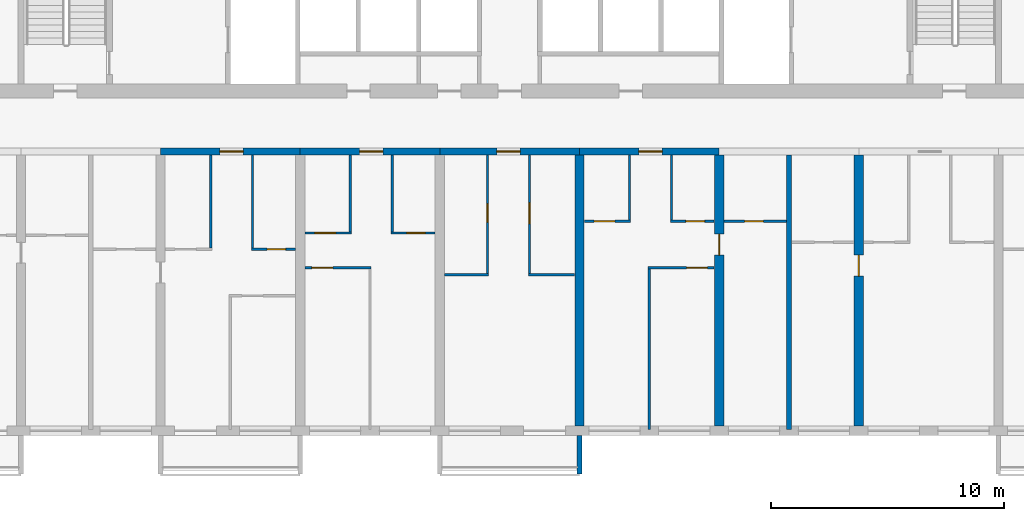
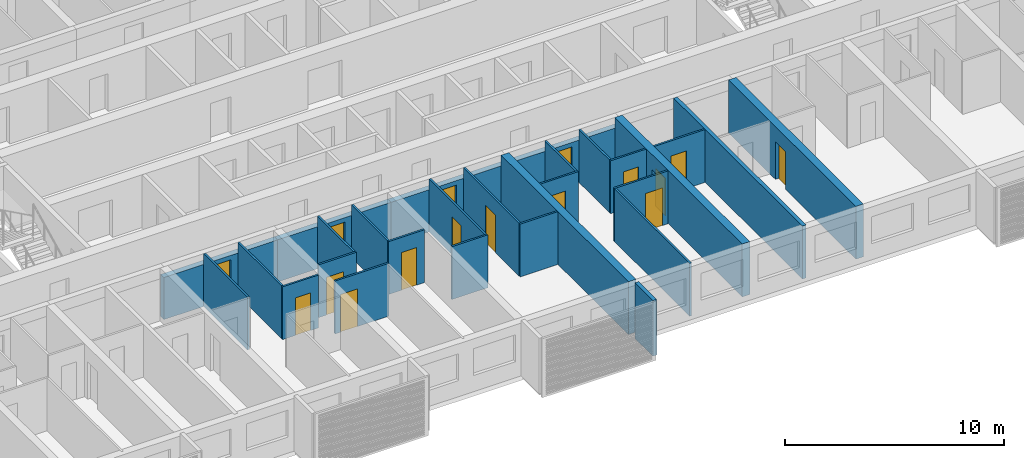
# One storey, part 5 of 39: 28 walls, 16 doors, 16 openings.
"""IFC4 building model written with IfcOpenShell, lengths in metres."""

from ifc_helpers import new_model, si_unit, direction, frame, frame_2d, origin, place, context, subcontext, project, spatial, polyline, rectangle, outline, extrude, source, transform, mapped, material, layer, layer_set, type_object, element, fill, save


model = new_model("IFC4")

# Units and contexts
model_context = context("Model", 3, precision=1e-05, world=origin(), true_north=direction((0.0, 1.0)))
body_context = subcontext(model_context, "Body", "Model", "MODEL_VIEW")
ifc_project = project(units=[si_unit("LENGTHUNIT", "METRE"), si_unit("AREAUNIT", "SQUARE_METRE"), si_unit("VOLUMEUNIT", "CUBIC_METRE"), si_unit("PLANEANGLEUNIT", "RADIAN"), si_unit("MASSUNIT", "GRAM", prefix="KILO")], contexts=[model_context])

# Site, building, storey
site_placement = place(None, origin())
site = spatial("IfcSite", under=ifc_project, at=site_placement, CompositionType="ELEMENT")
building_placement = place(site_placement, origin())
building = spatial("IfcBuilding", under=site, at=building_placement, Name="Poui Terraces", CompositionType="ELEMENT")
storey_placement = place(building_placement, frame((0.0, 0.0, 63.0)))
storey = spatial("IfcBuildingStorey", under=building, at=storey_placement, Name="L17", CompositionType="ELEMENT", Elevation=63.0)

# Wall, opening, door
ifc_material_1 = material(Name="Concrete 80 MPa", Category="concrete")
ifc_layer_1 = layer(ifc_material_1, 0.300048828125)
ifc_layer_set_1 = layer_set([ifc_layer_1], Name="Concrete 80 MPa")
wall_type_1 = type_object("IfcWallType", Name="CORRIDOR WALL 300 80MPa", PredefinedType="SHEAR", material=ifc_layer_set_1)
wall_1_placement = place(storey_placement, frame((36.0, 12.0, 0.0), z_axis=(0.0, 0.0, 1.0), x_axis=(1.0, 0.0, 0.0)))
wall_1 = element("IfcWall", 1, at=wall_1_placement, inside=storey, type_object=wall_type_1, Name="CORRIDOR WALL LINE B BAY 6", PredefinedType="SHEAR", context=body_context, shape_type="SweptSolid", body=[
    extrude(rectangle(XDim=6.0, YDim=0.300048828125, at=frame_2d((3.0, 0.0))), origin(), (0.0, 0.0, 1.0), 2.35009765625),
])
opening_1_placement = place(wall_1_placement, frame((2.550048828125, 0.0, 0.0)))
opening_1 = element("IfcOpeningElement", 2, at=opening_1_placement, cuts=wall_1, Name="Opening FD30S", PredefinedType="OPENING", context=body_context, shape_type="SweptSolid", body=[
    extrude(rectangle(XDim=1.0, YDim=2.10009765625, at=frame_2d((0.5, 1.050048828125))), frame((0.0, 0.16015625, 0.0), z_axis=(0.0, -1.0, 0.0), x_axis=(1.0, 0.0, 0.0)), (0.0, 0.0, 1.0), 0.320068359375),
])
ifc_material_2 = material(Name="Steel fire door", Category="steel")
door_type_1 = type_object("IfcDoorType", Name="FLAT ENTRANCE DOOR 1000 X 2100", OperationType="NOTDEFINED", PredefinedType="DOOR", material=ifc_material_2)
door_1_placement = place(opening_1_placement, frame((1.0, 0.0, 0.0), z_axis=(0.0, 0.0, 1.0), x_axis=(-1.0, 0.0, 0.0)))
door_1 = element("IfcDoor", 3, at=door_1_placement, inside=storey, type_object=door_type_1, Name="FLAT ENTRANCE DOOR 102", OperationType="SINGLE_SWING_LEFT", OverallHeight=2.10009765625, OverallWidth=1.0, PredefinedType="DOOR", context=body_context, shape_type="SweptSolid", body=[
    extrude(rectangle(XDim=1.0, YDim=2.10009765625, at=frame_2d((0.5, 1.050048828125))), frame((0.0, 0.02490234375, 0.0), z_axis=(0.0, -1.0, 0.0), x_axis=(1.0, 0.0, 0.0)), (0.0, 0.0, 1.0), 0.050048828125),
])
fill(opening_1, door_1)

wall_2_placement = place(storey_placement, frame((42.0, 12.0, 0.0), z_axis=(0.0, 0.0, 1.0), x_axis=(1.0, 0.0, 0.0)))
wall_2 = element("IfcWall", 4, at=wall_2_placement, inside=storey, type_object=wall_type_1, Name="CORRIDOR WALL LINE B BAY 7", PredefinedType="SHEAR", context=body_context, shape_type="SweptSolid", body=[
    extrude(rectangle(XDim=6.0, YDim=0.300048828125, at=frame_2d((3.0, 0.0))), origin(), (0.0, 0.0, 1.0), 2.35009765625),
])
opening_2_placement = place(wall_2_placement, frame((2.550048828125, 0.0, 0.0)))
opening_2 = element("IfcOpeningElement", 5, at=opening_2_placement, cuts=wall_2, Name="Opening FD30S", PredefinedType="OPENING", context=body_context, shape_type="SweptSolid", body=[
    extrude(rectangle(XDim=1.0, YDim=2.10009765625, at=frame_2d((0.5, 1.050048828125))), frame((0.0, 0.16015625, 0.0), z_axis=(0.0, -1.0, 0.0), x_axis=(1.0, 0.0, 0.0)), (0.0, 0.0, 1.0), 0.320068359375),
])
door_2_placement = place(opening_2_placement, frame((1.0, 0.0, 0.0), z_axis=(0.0, 0.0, 1.0), x_axis=(-1.0, 0.0, 0.0)))
door_2 = element("IfcDoor", 6, at=door_2_placement, inside=storey, type_object=door_type_1, Name="FLAT ENTRANCE DOOR 107", OperationType="SINGLE_SWING_LEFT", OverallHeight=2.10009765625, OverallWidth=1.0, PredefinedType="DOOR", context=body_context, shape_type="SweptSolid", body=[
    extrude(rectangle(XDim=1.0, YDim=2.10009765625, at=frame_2d((0.5, 1.050048828125))), frame((0.0, 0.02490234375, 0.0), z_axis=(0.0, -1.0, 0.0), x_axis=(1.0, 0.0, 0.0)), (0.0, 0.0, 1.0), 0.050048828125),
])
fill(opening_2, door_2)

wall_3_placement = place(storey_placement, frame((48.0, 12.0, 0.0), z_axis=(0.0, 0.0, 1.0), x_axis=(1.0, 0.0, 0.0)))
wall_3 = element("IfcWall", 7, at=wall_3_placement, inside=storey, type_object=wall_type_1, Name="CORRIDOR WALL LINE B BAY 8", PredefinedType="SHEAR", context=body_context, shape_type="SweptSolid", body=[
    extrude(rectangle(XDim=6.0, YDim=0.300048828125, at=frame_2d((3.0, 0.0))), origin(), (0.0, 0.0, 1.0), 2.35009765625),
])
opening_3_placement = place(wall_3_placement, frame((2.449951171875, 0.0, 0.0)))
opening_3 = element("IfcOpeningElement", 8, at=opening_3_placement, cuts=wall_3, Name="Opening FD30S", PredefinedType="OPENING", context=body_context, shape_type="SweptSolid", body=[
    extrude(rectangle(XDim=1.0, YDim=2.10009765625, at=frame_2d((0.5, 1.050048828125))), frame((0.0, 0.16015625, 0.0), z_axis=(0.0, -1.0, 0.0), x_axis=(1.0, 0.0, 0.0)), (0.0, 0.0, 1.0), 0.320068359375),
])
door_3_placement = place(opening_3_placement, frame((1.0, 0.0, 0.0), z_axis=(0.0, 0.0, 1.0), x_axis=(-1.0, 0.0, 0.0)))
door_3 = element("IfcDoor", 9, at=door_3_placement, inside=storey, type_object=door_type_1, Name="FLAT ENTRANCE DOOR 110", OperationType="SINGLE_SWING_RIGHT", OverallHeight=2.10009765625, OverallWidth=1.0, PredefinedType="DOOR", context=body_context, shape_type="SweptSolid", body=[
    extrude(rectangle(XDim=1.0, YDim=2.10009765625, at=frame_2d((0.5, 1.050048828125))), frame((0.0, 0.02490234375, 0.0), z_axis=(0.0, -1.0, 0.0), x_axis=(1.0, 0.0, 0.0)), (0.0, 0.0, 1.0), 0.050048828125),
])
fill(opening_3, door_3)

wall_4_placement = place(storey_placement, frame((54.0, 12.0, 0.0), z_axis=(0.0, 0.0, 1.0), x_axis=(1.0, 0.0, 0.0)))
wall_4 = element("IfcWall", 10, at=wall_4_placement, inside=storey, type_object=wall_type_1, Name="CORRIDOR WALL LINE B BAY 9", PredefinedType="SHEAR", context=body_context, shape_type="SweptSolid", body=[
    extrude(rectangle(XDim=6.0, YDim=0.300048828125, at=frame_2d((3.0, 0.0))), origin(), (0.0, 0.0, 1.0), 2.35009765625),
])
opening_4_placement = place(wall_4_placement, frame((2.550048828125, 0.0, 0.0)))
opening_4 = element("IfcOpeningElement", 11, at=opening_4_placement, cuts=wall_4, Name="Opening FD30S", PredefinedType="OPENING", context=body_context, shape_type="SweptSolid", body=[
    extrude(rectangle(XDim=1.0, YDim=2.10009765625, at=frame_2d((0.5, 1.050048828125))), frame((0.0, 0.16015625, 0.0), z_axis=(0.0, -1.0, 0.0), x_axis=(1.0, 0.0, 0.0)), (0.0, 0.0, 1.0), 0.320068359375),
])
door_4_placement = place(opening_4_placement, frame((1.0, 0.0, 0.0), z_axis=(0.0, 0.0, 1.0), x_axis=(-1.0, 0.0, 0.0)))
door_4 = element("IfcDoor", 12, at=door_4_placement, inside=storey, type_object=door_type_1, Name="FLAT ENTRANCE DOOR 114", OperationType="SINGLE_SWING_LEFT", OverallHeight=2.10009765625, OverallWidth=1.0, PredefinedType="DOOR", context=body_context, shape_type="SweptSolid", body=[
    extrude(rectangle(XDim=1.0, YDim=2.10009765625, at=frame_2d((0.5, 1.050048828125))), frame((0.0, 0.02490234375, 0.0), z_axis=(0.0, -1.0, 0.0), x_axis=(1.0, 0.0, 0.0)), (0.0, 0.0, 1.0), 0.050048828125),
])
fill(opening_4, door_4)

# Wall
ifc_layer_2 = layer(ifc_material_1, 0.39990234375)
ifc_layer_set_2 = layer_set([ifc_layer_2], Name="Concrete 80 MPa")
wall_type_2 = type_object("IfcWallType", Name="CROSS WALL 400 80MPa", PredefinedType="SHEAR", material=ifc_layer_set_2)
wall_5_placement = place(storey_placement, frame((54.0, 0.199951171875, 0.0), z_axis=(0.0, 0.0, 1.0), x_axis=(0.0, 1.0, 0.0)))
element("IfcWall", 13, at=wall_5_placement, inside=storey, type_object=wall_type_2, Name="CROSS WALL LINE 10 SOUTH", PredefinedType="SHEAR", context=body_context, shape_type="SweptSolid", body=[
    extrude(rectangle(XDim=11.650146484375, YDim=0.39990234375, at=frame_2d((5.8251953125, 0.0))), origin(), (0.0, 0.0, 1.0), 2.949951171875),
])

# Wall, opening, door
wall_6_placement = place(storey_placement, frame((60.0, 0.199951171875, 0.0), z_axis=(0.0, 0.0, 1.0), x_axis=(0.0, 1.0, 0.0)))
wall_6 = element("IfcWall", 14, at=wall_6_placement, inside=storey, type_object=wall_type_2, Name="CROSS WALL LINE 11 SOUTH", PredefinedType="SHEAR", context=body_context, shape_type="SweptSolid", body=[
    extrude(rectangle(XDim=11.650146484375, YDim=0.39990234375, at=frame_2d((5.8251953125, 0.0))), origin(), (0.0, 0.0, 1.0), 2.949951171875),
])
opening_5_placement = place(wall_6_placement, frame((7.35009765625, 0.0, 0.0)))
opening_5 = element("IfcOpeningElement", 15, at=opening_5_placement, cuts=wall_6, Name="Opening D90", PredefinedType="OPENING", context=body_context, shape_type="SweptSolid", body=[
    extrude(rectangle(XDim=0.89990234375, YDim=2.10009765625, at=frame_2d((0.449951171875, 1.050048828125))), frame((0.0, 0.2099609375, 0.0), z_axis=(0.0, -1.0, 0.0), x_axis=(1.0, 0.0, 0.0)), (0.0, 0.0, 1.0), 0.419921875),
])
ifc_material_3 = material(Name="Solid core timber door", Category="wood")
door_type_2 = type_object("IfcDoorType", Name="INTERNAL DOOR 900 X 2100", OperationType="NOTDEFINED", PredefinedType="DOOR", material=ifc_material_3)
door_5_placement = place(opening_5_placement, frame((0.89990234375, 0.0, 0.0), z_axis=(0.0, 0.0, 1.0), x_axis=(-1.0, 0.0, 0.0)))
door_5 = element("IfcDoor", 16, at=door_5_placement, inside=storey, type_object=door_type_2, Name="INTERNAL DOOR 117", OperationType="SINGLE_SWING_LEFT", OverallHeight=2.10009765625, OverallWidth=0.89990234375, PredefinedType="DOOR", context=body_context, shape_type="SweptSolid", body=[
    extrude(rectangle(XDim=0.89990234375, YDim=2.10009765625, at=frame_2d((0.449951171875, 1.050048828125))), frame((0.0, 0.02490234375, 0.0), z_axis=(0.0, -1.0, 0.0), x_axis=(1.0, 0.0, 0.0)), (0.0, 0.0, 1.0), 0.050048828125),
])
fill(opening_5, door_5)

wall_7_placement = place(storey_placement, frame((66.0, 0.199951171875, 0.0), z_axis=(0.0, 0.0, 1.0), x_axis=(0.0, 1.0, 0.0)))
wall_7 = element("IfcWall", 17, at=wall_7_placement, inside=storey, type_object=wall_type_2, Name="CROSS WALL LINE 12 SOUTH", PredefinedType="SHEAR", context=body_context, shape_type="SweptSolid", body=[
    extrude(rectangle(XDim=11.650146484375, YDim=0.39990234375, at=frame_2d((5.8251953125, 0.0))), origin(), (0.0, 0.0, 1.0), 2.949951171875),
])
opening_6_placement = place(wall_7_placement, frame((6.449951171875, 0.0, 0.0)))
opening_6 = element("IfcOpeningElement", 18, at=opening_6_placement, cuts=wall_7, Name="Opening D90", PredefinedType="OPENING", context=body_context, shape_type="SweptSolid", body=[
    extrude(rectangle(XDim=0.89990234375, YDim=2.10009765625, at=frame_2d((0.449951171875, 1.050048828125))), frame((0.0, 0.2099609375, 0.0), z_axis=(0.0, -1.0, 0.0), x_axis=(1.0, 0.0, 0.0)), (0.0, 0.0, 1.0), 0.419921875),
])
door_6_placement = place(opening_6_placement, origin())
door_6 = element("IfcDoor", 19, at=door_6_placement, inside=storey, type_object=door_type_2, Name="INTERNAL DOOR 119", OperationType="SINGLE_SWING_RIGHT", OverallHeight=2.10009765625, OverallWidth=0.89990234375, PredefinedType="DOOR", context=body_context, shape_type="SweptSolid", body=[
    extrude(rectangle(XDim=0.89990234375, YDim=2.10009765625, at=frame_2d((0.449951171875, 1.050048828125))), frame((0.0, 0.02490234375, 0.0), z_axis=(0.0, -1.0, 0.0), x_axis=(1.0, 0.0, 0.0)), (0.0, 0.0, 1.0), 0.050048828125),
])
fill(opening_6, door_6)

# Walls
ifc_material_4 = material(Name="Plasterboard partition")
ifc_layer_3 = layer(ifc_material_4, 0.10009765625)
ifc_layer_set_3 = layer_set([ifc_layer_3], Name="Plasterboard partition")
wall_type_3 = type_object("IfcWallType", Name="FLAT PARTITION 100", PredefinedType="PARTITIONING", material=ifc_layer_set_3)
wall_8_placement = place(storey_placement, frame((48.2099609375, 6.699951171875, 0.0), z_axis=(0.0, 0.0, 1.0), x_axis=(1.0, 0.0, 0.0)))
element("IfcWall", 20, at=wall_8_placement, inside=storey, type_object=wall_type_3, Name="FLAT PARTITION 100", PredefinedType="PARTITIONING", context=body_context, shape_type="SweptSolid", body=[
    extrude(rectangle(XDim=1.89013671875, YDim=0.10009765625, at=frame_2d((0.945068359375, 0.0))), origin(), (0.0, 0.0, 1.0), 2.949951171875),
])
wall_9_placement = place(storey_placement, frame((51.800048828125, 6.699951171875, 0.0), z_axis=(0.0, 0.0, 1.0), x_axis=(1.0, 0.0, 0.0)))
element("IfcWall", 21, at=wall_9_placement, inside=storey, type_object=wall_type_3, Name="FLAT PARTITION 100", PredefinedType="PARTITIONING", context=body_context, shape_type="SweptSolid", body=[
    extrude(rectangle(XDim=1.989990234375, YDim=0.10009765625, at=frame_2d((0.9951171875, 0.0))), origin(), (0.0, 0.0, 1.0), 2.949951171875),
])

# Wall, opening, door
wall_10_placement = place(storey_placement, frame((42.2099609375, 7.0, 0.0), z_axis=(0.0, 0.0, 1.0), x_axis=(1.0, 0.0, 0.0)))
wall_10 = element("IfcWall", 22, at=wall_10_placement, inside=storey, type_object=wall_type_3, Name="FLAT PARTITION 100", PredefinedType="PARTITIONING", context=body_context, shape_type="SweptSolid", body=[
    extrude(rectangle(XDim=2.840087890625, YDim=0.10009765625, at=frame_2d((1.419921875, 0.0))), origin(), (0.0, 0.0, 1.0), 2.949951171875),
])
opening_7_placement = place(wall_10_placement, frame((0.2900390625, 0.0, 0.0)))
opening_7 = element("IfcOpeningElement", 23, at=opening_7_placement, cuts=wall_10, Name="Opening D90", PredefinedType="OPENING", context=body_context, shape_type="SweptSolid", body=[
    extrude(rectangle(XDim=0.89990234375, YDim=2.10009765625, at=frame_2d((0.449951171875, 1.050048828125))), frame((0.0, 0.06005859375, 0.0), z_axis=(0.0, -1.0, 0.0), x_axis=(1.0, 0.0, 0.0)), (0.0, 0.0, 1.0), 0.1201171875),
])
door_7_placement = place(opening_7_placement, origin())
door_7 = element("IfcDoor", 24, at=door_7_placement, inside=storey, type_object=door_type_2, Name="INTERNAL DOOR 105", OperationType="SINGLE_SWING_RIGHT", OverallHeight=2.10009765625, OverallWidth=0.89990234375, PredefinedType="DOOR", context=body_context, shape_type="SweptSolid", body=[
    extrude(rectangle(XDim=0.89990234375, YDim=2.10009765625, at=frame_2d((0.449951171875, 1.050048828125))), frame((0.0, 0.02490234375, 0.0), z_axis=(0.0, -1.0, 0.0), x_axis=(1.0, 0.0, 0.0)), (0.0, 0.0, 1.0), 0.050048828125),
])
fill(opening_7, door_7)

wall_11_placement = place(storey_placement, frame((56.949951171875, 7.0, 0.0), z_axis=(0.0, 0.0, 1.0), x_axis=(1.0, 0.0, 0.0)))
wall_11 = element("IfcWall", 25, at=wall_11_placement, inside=storey, type_object=wall_type_3, Name="FLAT PARTITION 100", PredefinedType="PARTITIONING", context=body_context, shape_type="SweptSolid", body=[
    extrude(rectangle(XDim=2.840087890625, YDim=0.10009765625, at=frame_2d((1.419921875, 0.0))), origin(), (0.0, 0.0, 1.0), 2.949951171875),
])
opening_8_placement = place(wall_11_placement, frame((1.64990234375, 0.0, 0.0)))
opening_8 = element("IfcOpeningElement", 26, at=opening_8_placement, cuts=wall_11, Name="Opening D90", PredefinedType="OPENING", context=body_context, shape_type="SweptSolid", body=[
    extrude(rectangle(XDim=0.89990234375, YDim=2.10009765625, at=frame_2d((0.449951171875, 1.050048828125))), frame((0.0, 0.06005859375, 0.0), z_axis=(0.0, -1.0, 0.0), x_axis=(1.0, 0.0, 0.0)), (0.0, 0.0, 1.0), 0.1201171875),
])
door_8_placement = place(opening_8_placement, origin())
door_8 = element("IfcDoor", 27, at=door_8_placement, inside=storey, type_object=door_type_2, Name="INTERNAL DOOR 116", OperationType="SINGLE_SWING_LEFT", OverallHeight=2.10009765625, OverallWidth=0.89990234375, PredefinedType="DOOR", context=body_context, shape_type="SweptSolid", body=[
    extrude(rectangle(XDim=0.89990234375, YDim=2.10009765625, at=frame_2d((0.449951171875, 1.050048828125))), frame((0.0, 0.02490234375, 0.0), z_axis=(0.0, -1.0, 0.0), x_axis=(1.0, 0.0, 0.0)), (0.0, 0.0, 1.0), 0.050048828125),
])
fill(opening_8, door_8)

wall_12_placement = place(storey_placement, frame((39.89990234375, 7.800048828125, 0.0), z_axis=(0.0, 0.0, 1.0), x_axis=(1.0, 0.0, 0.0)))
wall_12 = element("IfcWall", 28, at=wall_12_placement, inside=storey, type_object=wall_type_3, Name="FLAT PARTITION 100", PredefinedType="PARTITIONING", context=body_context, shape_type="SweptSolid", body=[
    extrude(rectangle(XDim=1.89013671875, YDim=0.10009765625, at=frame_2d((0.945068359375, 0.0))), origin(), (0.0, 0.0, 1.0), 2.949951171875),
])
opening_9_placement = place(wall_12_placement, frame((0.675048828125, 0.0, 0.0)))
opening_9 = element("IfcOpeningElement", 29, at=opening_9_placement, cuts=wall_12, Name="Opening D80", PredefinedType="OPENING", context=body_context, shape_type="SweptSolid", body=[
    extrude(rectangle(XDim=0.800048828125, YDim=2.10009765625, at=frame_2d((0.39990234375, 1.050048828125))), frame((0.0, 0.06005859375, 0.0), z_axis=(0.0, -1.0, 0.0), x_axis=(1.0, 0.0, 0.0)), (0.0, 0.0, 1.0), 0.1201171875),
])
door_type_3 = type_object("IfcDoorType", Name="BATHROOM, LAUNDRY AND STORE DOOR 800 X 2100", OperationType="NOTDEFINED", PredefinedType="DOOR", material=ifc_material_3)
door_9_placement = place(opening_9_placement, origin())
door_9 = element("IfcDoor", 30, at=door_9_placement, inside=storey, type_object=door_type_3, Name="BATHROOM, LAUNDRY AND STORE DOOR 104", OperationType="SINGLE_SWING_LEFT", OverallHeight=2.10009765625, OverallWidth=0.800048828125, PredefinedType="DOOR", context=body_context, shape_type="SweptSolid", body=[
    extrude(rectangle(XDim=0.800048828125, YDim=2.10009765625, at=frame_2d((0.39990234375, 1.050048828125))), frame((0.0, 0.02490234375, 0.0), z_axis=(0.0, -1.0, 0.0), x_axis=(1.0, 0.0, 0.0)), (0.0, 0.0, 1.0), 0.050048828125),
])
fill(opening_9, door_9)

wall_13_placement = place(storey_placement, frame((42.2099609375, 8.5, 0.0), z_axis=(0.0, 0.0, 1.0), x_axis=(1.0, 0.0, 0.0)))
wall_13 = element("IfcWall", 31, at=wall_13_placement, inside=storey, type_object=wall_type_3, Name="FLAT PARTITION 100", PredefinedType="PARTITIONING", context=body_context, shape_type="SweptSolid", body=[
    extrude(rectangle(XDim=1.989990234375, YDim=0.10009765625, at=frame_2d((0.9951171875, 0.0))), origin(), (0.0, 0.0, 1.0), 2.949951171875),
])
opening_10_placement = place(wall_13_placement, frame((0.4150390625, 0.0, 0.0)))
opening_10 = element("IfcOpeningElement", 32, at=opening_10_placement, cuts=wall_13, Name="Opening D90", PredefinedType="OPENING", context=body_context, shape_type="SweptSolid", body=[
    extrude(rectangle(XDim=0.89990234375, YDim=2.10009765625, at=frame_2d((0.449951171875, 1.050048828125))), frame((0.0, 0.06005859375, 0.0), z_axis=(0.0, -1.0, 0.0), x_axis=(1.0, 0.0, 0.0)), (0.0, 0.0, 1.0), 0.1201171875),
])
door_10_placement = place(opening_10_placement, origin())
door_10 = element("IfcDoor", 33, at=door_10_placement, inside=storey, type_object=door_type_2, Name="INTERNAL DOOR 106", OperationType="SINGLE_SWING_LEFT", OverallHeight=2.10009765625, OverallWidth=0.89990234375, PredefinedType="DOOR", context=body_context, shape_type="SweptSolid", body=[
    extrude(rectangle(XDim=0.89990234375, YDim=2.10009765625, at=frame_2d((0.449951171875, 1.050048828125))), frame((0.0, 0.02490234375, 0.0), z_axis=(0.0, -1.0, 0.0), x_axis=(1.0, 0.0, 0.0)), (0.0, 0.0, 1.0), 0.050048828125),
])
fill(opening_10, door_10)

wall_14_placement = place(storey_placement, frame((45.89990234375, 8.5, 0.0), z_axis=(0.0, 0.0, 1.0), x_axis=(1.0, 0.0, 0.0)))
wall_14 = element("IfcWall", 34, at=wall_14_placement, inside=storey, type_object=wall_type_3, Name="FLAT PARTITION 100", PredefinedType="PARTITIONING", context=body_context, shape_type="SweptSolid", body=[
    extrude(rectangle(XDim=1.89013671875, YDim=0.10009765625, at=frame_2d((0.945068359375, 0.0))), origin(), (0.0, 0.0, 1.0), 2.949951171875),
])
opening_11_placement = place(wall_14_placement, frame((0.675048828125, 0.0, 0.0)))
opening_11 = element("IfcOpeningElement", 35, at=opening_11_placement, cuts=wall_14, Name="Opening D80", PredefinedType="OPENING", context=body_context, shape_type="SweptSolid", body=[
    extrude(rectangle(XDim=0.800048828125, YDim=2.10009765625, at=frame_2d((0.39990234375, 1.050048828125))), frame((0.0, 0.06005859375, 0.0), z_axis=(0.0, -1.0, 0.0), x_axis=(1.0, 0.0, 0.0)), (0.0, 0.0, 1.0), 0.1201171875),
])
door_11_placement = place(opening_11_placement, origin())
door_11 = element("IfcDoor", 36, at=door_11_placement, inside=storey, type_object=door_type_3, Name="BATHROOM, LAUNDRY AND STORE DOOR 108", OperationType="SINGLE_SWING_RIGHT", OverallHeight=2.10009765625, OverallWidth=0.800048828125, PredefinedType="DOOR", context=body_context, shape_type="SweptSolid", body=[
    extrude(rectangle(XDim=0.800048828125, YDim=2.10009765625, at=frame_2d((0.39990234375, 1.050048828125))), frame((0.0, 0.02490234375, 0.0), z_axis=(0.0, -1.0, 0.0), x_axis=(1.0, 0.0, 0.0)), (0.0, 0.0, 1.0), 0.050048828125),
])
fill(opening_11, door_11)

wall_15_placement = place(storey_placement, frame((54.2099609375, 9.0, 0.0), z_axis=(0.0, 0.0, 1.0), x_axis=(1.0, 0.0, 0.0)))
wall_15 = element("IfcWall", 37, at=wall_15_placement, inside=storey, type_object=wall_type_3, Name="FLAT PARTITION 100", PredefinedType="PARTITIONING", context=body_context, shape_type="SweptSolid", body=[
    extrude(rectangle(XDim=1.989990234375, YDim=0.10009765625, at=frame_2d((0.9951171875, 0.0))), origin(), (0.0, 0.0, 1.0), 2.949951171875),
])
opening_12_placement = place(wall_15_placement, frame((0.4150390625, 0.0, 0.0)))
opening_12 = element("IfcOpeningElement", 38, at=opening_12_placement, cuts=wall_15, Name="Opening D90", PredefinedType="OPENING", context=body_context, shape_type="SweptSolid", body=[
    extrude(rectangle(XDim=0.89990234375, YDim=2.10009765625, at=frame_2d((0.449951171875, 1.050048828125))), frame((0.0, 0.06005859375, 0.0), z_axis=(0.0, -1.0, 0.0), x_axis=(1.0, 0.0, 0.0)), (0.0, 0.0, 1.0), 0.1201171875),
])
door_12_placement = place(opening_12_placement, origin())
door_12 = element("IfcDoor", 39, at=door_12_placement, inside=storey, type_object=door_type_2, Name="INTERNAL DOOR 113", OperationType="SINGLE_SWING_LEFT", OverallHeight=2.10009765625, OverallWidth=0.89990234375, PredefinedType="DOOR", context=body_context, shape_type="SweptSolid", body=[
    extrude(rectangle(XDim=0.89990234375, YDim=2.10009765625, at=frame_2d((0.449951171875, 1.050048828125))), frame((0.0, 0.02490234375, 0.0), z_axis=(0.0, -1.0, 0.0), x_axis=(1.0, 0.0, 0.0)), (0.0, 0.0, 1.0), 0.050048828125),
])
fill(opening_12, door_12)

wall_16_placement = place(storey_placement, frame((57.89990234375, 9.0, 0.0), z_axis=(0.0, 0.0, 1.0), x_axis=(1.0, 0.0, 0.0)))
wall_16 = element("IfcWall", 40, at=wall_16_placement, inside=storey, type_object=wall_type_3, Name="FLAT PARTITION 100", PredefinedType="PARTITIONING", context=body_context, shape_type="SweptSolid", body=[
    extrude(rectangle(XDim=1.89013671875, YDim=0.10009765625, at=frame_2d((0.945068359375, 0.0))), origin(), (0.0, 0.0, 1.0), 2.949951171875),
])
opening_13_placement = place(wall_16_placement, frame((0.675048828125, 0.0, 0.0)))
opening_13 = element("IfcOpeningElement", 41, at=opening_13_placement, cuts=wall_16, Name="Opening D80", PredefinedType="OPENING", context=body_context, shape_type="SweptSolid", body=[
    extrude(rectangle(XDim=0.800048828125, YDim=2.10009765625, at=frame_2d((0.39990234375, 1.050048828125))), frame((0.0, 0.06005859375, 0.0), z_axis=(0.0, -1.0, 0.0), x_axis=(1.0, 0.0, 0.0)), (0.0, 0.0, 1.0), 0.1201171875),
])
door_13_placement = place(opening_13_placement, origin())
door_13 = element("IfcDoor", 42, at=door_13_placement, inside=storey, type_object=door_type_3, Name="BATHROOM, LAUNDRY AND STORE DOOR 115", OperationType="SINGLE_SWING_RIGHT", OverallHeight=2.10009765625, OverallWidth=0.800048828125, PredefinedType="DOOR", context=body_context, shape_type="SweptSolid", body=[
    extrude(rectangle(XDim=0.800048828125, YDim=2.10009765625, at=frame_2d((0.39990234375, 1.050048828125))), frame((0.0, 0.02490234375, 0.0), z_axis=(0.0, -1.0, 0.0), x_axis=(1.0, 0.0, 0.0)), (0.0, 0.0, 1.0), 0.050048828125),
])
fill(opening_13, door_13)

wall_17_placement = place(storey_placement, frame((60.2099609375, 9.0, 0.0), z_axis=(0.0, 0.0, 1.0), x_axis=(1.0, 0.0, 0.0)))
wall_17 = element("IfcWall", 43, at=wall_17_placement, inside=storey, type_object=wall_type_3, Name="FLAT PARTITION 100", PredefinedType="PARTITIONING", context=body_context, shape_type="SweptSolid", body=[
    extrude(rectangle(XDim=2.68994140625, YDim=0.10009765625, at=frame_2d((1.344970703125, 0.0))), origin(), (0.0, 0.0, 1.0), 2.949951171875),
])
opening_14_placement = place(wall_17_placement, frame((0.889892578125, 0.0, 0.0)))
opening_14 = element("IfcOpeningElement", 44, at=opening_14_placement, cuts=wall_17, Name="Opening D80", PredefinedType="OPENING", context=body_context, shape_type="SweptSolid", body=[
    extrude(rectangle(XDim=0.800048828125, YDim=2.10009765625, at=frame_2d((0.39990234375, 1.050048828125))), frame((0.0, 0.06005859375, 0.0), z_axis=(0.0, -1.0, 0.0), x_axis=(1.0, 0.0, 0.0)), (0.0, 0.0, 1.0), 0.1201171875),
])
door_14_placement = place(opening_14_placement, origin())
door_14 = element("IfcDoor", 45, at=door_14_placement, inside=storey, type_object=door_type_3, Name="BATHROOM, LAUNDRY AND STORE DOOR 112", OperationType="SINGLE_SWING_LEFT", OverallHeight=2.10009765625, OverallWidth=0.800048828125, PredefinedType="DOOR", context=body_context, shape_type="SweptSolid", body=[
    extrude(rectangle(XDim=0.800048828125, YDim=2.10009765625, at=frame_2d((0.39990234375, 1.050048828125))), frame((0.0, 0.02490234375, 0.0), z_axis=(0.0, -1.0, 0.0), x_axis=(1.0, 0.0, 0.0)), (0.0, 0.0, 1.0), 0.050048828125),
])
fill(opening_14, door_14)

# Walls
for number, where, z_axis, x_axis, name in (
    (46, (38.14990234375, 7.85009765625, 0.0), (0.0, 0.0, 1.0), (0.0, 1.0, 0.0), "FLAT PARTITION 100"),
    (47, (39.949951171875, 7.85009765625, 0.0), (0.0, 0.0, 1.0), (0.0, 1.0, 0.0), "FLAT PARTITION 100"),
):
    element("IfcWall", number, at=place(storey_placement, frame(where, z_axis=z_axis, x_axis=x_axis)), inside=storey, type_object=wall_type_3, Name=name, PredefinedType="PARTITIONING", context=body_context, shape_type="SweptSolid", body=[
        extrude(rectangle(XDim=3.989990234375, YDim=0.10009765625, at=frame_2d((1.9951171875, 0.0))), origin(), (0.0, 0.0, 1.0), 2.949951171875),
    ])
for number, where, z_axis, x_axis, name in (
    (48, (44.14990234375, 8.550048828125, 0.0), (0.0, 0.0, 1.0), (0.0, 1.0, 0.0), "FLAT PARTITION 100"),
    (49, (45.949951171875, 8.550048828125, 0.0), (0.0, 0.0, 1.0), (0.0, 1.0, 0.0), "FLAT PARTITION 100"),
):
    element("IfcWall", number, at=place(storey_placement, frame(where, z_axis=z_axis, x_axis=x_axis)), inside=storey, type_object=wall_type_3, Name=name, PredefinedType="PARTITIONING", context=body_context, shape_type="SweptSolid", body=[
        extrude(rectangle(XDim=3.2900390625, YDim=0.10009765625, at=frame_2d((1.64501953125, 0.0))), origin(), (0.0, 0.0, 1.0), 2.949951171875),
    ])

# Wall, opening, door
wall_18_placement = place(storey_placement, frame((50.050048828125, 6.75, 0.0), z_axis=(0.0, 0.0, 1.0), x_axis=(0.0, 1.0, 0.0)))
wall_18 = element("IfcWall", 50, at=wall_18_placement, inside=storey, type_object=wall_type_3, Name="FLAT PARTITION 100", PredefinedType="PARTITIONING", context=body_context, shape_type="SweptSolid", body=[
    extrude(rectangle(XDim=5.090087890625, YDim=0.10009765625, at=frame_2d((2.544921875, 0.0))), origin(), (0.0, 0.0, 1.0), 2.949951171875),
])
opening_15_placement = place(wall_18_placement, frame((2.199951171875, 0.0, 0.0)))
opening_15 = element("IfcOpeningElement", 51, at=opening_15_placement, cuts=wall_18, Name="Opening D80", PredefinedType="OPENING", context=body_context, shape_type="SweptSolid", body=[
    extrude(rectangle(XDim=0.800048828125, YDim=2.10009765625, at=frame_2d((0.39990234375, 1.050048828125))), frame((0.0, 0.06005859375, 0.0), z_axis=(0.0, -1.0, 0.0), x_axis=(1.0, 0.0, 0.0)), (0.0, 0.0, 1.0), 0.1201171875),
])
door_15_placement = place(opening_15_placement, origin())
door_15 = element("IfcDoor", 52, at=door_15_placement, inside=storey, type_object=door_type_3, Name="BATHROOM, LAUNDRY AND STORE DOOR 109", OperationType="SINGLE_SWING_LEFT", OverallHeight=2.10009765625, OverallWidth=0.800048828125, PredefinedType="DOOR", context=body_context, shape_type="SweptSolid", body=[
    extrude(rectangle(XDim=0.800048828125, YDim=2.10009765625, at=frame_2d((0.39990234375, 1.050048828125))), frame((0.0, 0.02490234375, 0.0), z_axis=(0.0, -1.0, 0.0), x_axis=(1.0, 0.0, 0.0)), (0.0, 0.0, 1.0), 0.050048828125),
])
fill(opening_15, door_15)

wall_19_placement = place(storey_placement, frame((51.85009765625, 6.75, 0.0), z_axis=(0.0, 0.0, 1.0), x_axis=(0.0, 1.0, 0.0)))
wall_19 = element("IfcWall", 53, at=wall_19_placement, inside=storey, type_object=wall_type_3, Name="FLAT PARTITION 100", PredefinedType="PARTITIONING", context=body_context, shape_type="SweptSolid", body=[
    extrude(rectangle(XDim=5.090087890625, YDim=0.10009765625, at=frame_2d((2.544921875, 0.0))), origin(), (0.0, 0.0, 1.0), 2.949951171875),
])
opening_16_placement = place(wall_19_placement, frame((2.14990234375, 0.0, 0.0)))
opening_16 = element("IfcOpeningElement", 54, at=opening_16_placement, cuts=wall_19, Name="Opening D90", PredefinedType="OPENING", context=body_context, shape_type="SweptSolid", body=[
    extrude(rectangle(XDim=0.89990234375, YDim=2.10009765625, at=frame_2d((0.449951171875, 1.050048828125))), frame((0.0, 0.06005859375, 0.0), z_axis=(0.0, -1.0, 0.0), x_axis=(1.0, 0.0, 0.0)), (0.0, 0.0, 1.0), 0.1201171875),
])
door_16_placement = place(opening_16_placement, frame((0.89990234375, 0.0, 0.0), z_axis=(0.0, 0.0, 1.0), x_axis=(-1.0, 0.0, 0.0)))
door_16 = element("IfcDoor", 55, at=door_16_placement, inside=storey, type_object=door_type_2, Name="INTERNAL DOOR 111", OperationType="SINGLE_SWING_LEFT", OverallHeight=2.10009765625, OverallWidth=0.89990234375, PredefinedType="DOOR", context=body_context, shape_type="SweptSolid", body=[
    extrude(rectangle(XDim=0.89990234375, YDim=2.10009765625, at=frame_2d((0.449951171875, 1.050048828125))), frame((0.0, 0.02490234375, 0.0), z_axis=(0.0, -1.0, 0.0), x_axis=(1.0, 0.0, 0.0)), (0.0, 0.0, 1.0), 0.050048828125),
])
fill(opening_16, door_16)

# Walls
wall_20_placement = place(storey_placement, frame((56.14990234375, 9.050048828125, 0.0), z_axis=(0.0, 0.0, 1.0), x_axis=(0.0, 1.0, 0.0)))
element("IfcWall", 56, at=wall_20_placement, inside=storey, type_object=wall_type_3, Name="FLAT PARTITION 100", PredefinedType="PARTITIONING", context=body_context, shape_type="SweptSolid", body=[
    extrude(rectangle(XDim=2.7900390625, YDim=0.10009765625, at=frame_2d((1.39501953125, 0.0))), origin(), (0.0, 0.0, 1.0), 2.949951171875),
])
wall_21_placement = place(storey_placement, frame((57.0, 0.06005859375, 0.0), z_axis=(0.0, 0.0, 1.0), x_axis=(0.0, 1.0, 0.0)))
element("IfcWall", 57, at=wall_21_placement, inside=storey, type_object=wall_type_3, Name="FLAT PARTITION 100", PredefinedType="PARTITIONING", context=body_context, shape_type="SweptSolid", body=[
    extrude(rectangle(XDim=6.889892578125, YDim=0.10009765625, at=frame_2d((3.44482421875, 0.0))), origin(), (0.0, 0.0, 1.0), 2.949951171875),
])
wall_22_placement = place(storey_placement, frame((57.949951171875, 9.050048828125, 0.0), z_axis=(0.0, 0.0, 1.0), x_axis=(0.0, 1.0, 0.0)))
element("IfcWall", 58, at=wall_22_placement, inside=storey, type_object=wall_type_3, Name="FLAT PARTITION 100", PredefinedType="PARTITIONING", context=body_context, shape_type="SweptSolid", body=[
    extrude(rectangle(XDim=2.7900390625, YDim=0.10009765625, at=frame_2d((1.39501953125, 0.0))), origin(), (0.0, 0.0, 1.0), 2.949951171875),
])
ifc_material_5 = material(Name="Fire-rated masonry wall", Category="masonry")
ifc_layer_4 = layer(ifc_material_5, 0.199951171875)
ifc_layer_set_4 = layer_set([ifc_layer_4], Name="Fire-rated masonry wall")
wall_type_4 = type_object("IfcWallType", Name="FLAT PARTY WALL 200", PredefinedType="PARTITIONING", material=ifc_layer_set_4)
wall_23_placement = place(storey_placement, frame((63.0, 0.06005859375, 0.0), z_axis=(0.0, 0.0, 1.0), x_axis=(0.0, 1.0, 0.0)))
element("IfcWall", 59, at=wall_23_placement, inside=storey, type_object=wall_type_4, Name="FLAT PARTY WALL 200", PredefinedType="PARTITIONING", context=body_context, shape_type="SweptSolid", body=[
    extrude(rectangle(XDim=11.780029296875, YDim=0.199951171875, at=frame_2d((5.89013671875, 0.0))), origin(), (0.0, 0.0, 1.0), 2.949951171875),
])
ifc_material_6 = material(Name="Precast concrete 40 MPa", Category="concrete")
ifc_layer_5 = layer(ifc_material_6, 0.199951171875)
ifc_layer_set_5 = layer_set([ifc_layer_5], Name="Precast concrete 40 MPa")
wall_type_5 = type_object("IfcWallType", Name="REAR FIN 200", PredefinedType="STANDARD", material=ifc_layer_set_5)
shared_shape = source(origin(), body_context, "Body", "SweptSolid", [
    extrude(outline(polyline([(0.0, 0.0), (0.2001953125, 0.0), (0.2001953125, 1.650146484375), (0.0, 1.650146484375), (0.0, 0.0)])), origin(), (0.0, 0.0, 1.0), 3.10009765625),
])
wall_24_placement = place(storey_placement, frame((53.89990234375, -1.85009765625, 0.0)))
element("IfcWall", 60, at=wall_24_placement, inside=storey, type_object=wall_type_5, Name="REAR FIN", PredefinedType="STANDARD", context=body_context, shape_type="MappedRepresentation", body=[
    mapped(shared_shape, transform((0.0, 0.0, 0.0))),
])

save(model, "model.ifc")
